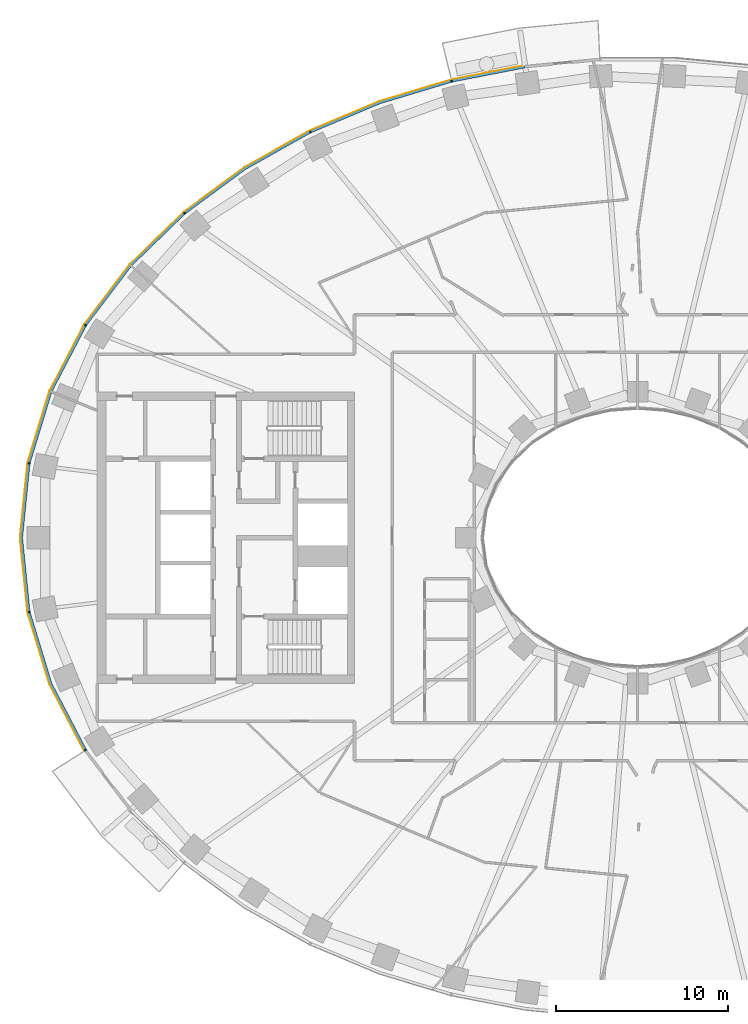
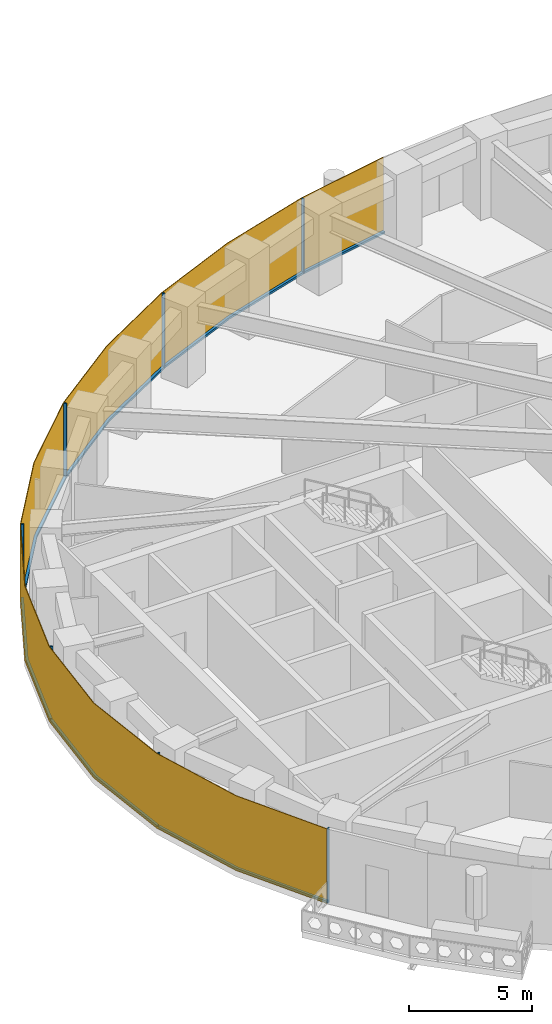
# One storey, part 11 of 16: 14 members, 1 curtain wall.
"""IFC4 building model written with IfcOpenShell, lengths in metres."""

import ifcopenshell
import ifcopenshell.guid

model = None  # the IFC model being written
_history = None  # IfcOwnerHistory: only IFC2X3 demands one
_inside = {}  # id of a spatial element -> (the spatial element, [elements in it])
_under = {}  # id of a project, library or spatial element -> (it, [spatial elements below it])
_declared = {}  # id of a project -> (the project, [libraries it declares])
_typed = {}  # id of a type object -> (the type object, [elements of that type])
_made_of = {}  # id of a material, layer set ... -> (it, [elements and type objects made of it])


def new_model(schema):
    """Start an empty IFC model of exactly this schema.

    Asked for "IFC4X3", IfcOpenShell would pick the latest addendum, in which some entities
    have other attributes; the version numbers below select the first issue.
    IFC2X3 requires an IfcOwnerHistory on every rooted entity: one is made here for all.
    """
    global model, _history
    if schema == "IFC4X3":
        model = ifcopenshell.file(schema_version=(4, 3, 0, 0))
    else:
        model = ifcopenshell.file(schema=schema)
    _inside.clear()
    _under.clear()
    _declared.clear()
    _typed.clear()
    _made_of.clear()
    _history = None
    if model.schema == "IFC2X3":
        org = make("IfcOrganization", Name="unknown")
        user = make(
            "IfcPersonAndOrganization",
            ThePerson=make("IfcPerson", FamilyName="unknown"),
            TheOrganization=org,
        )
        app = make(
            "IfcApplication",
            ApplicationDeveloper=org,
            Version="unknown",
            ApplicationFullName="unknown",
            ApplicationIdentifier="unknown",
        )
        _history = make(
            "IfcOwnerHistory",
            OwningUser=user,
            OwningApplication=app,
            ChangeAction="ADDED",
            CreationDate=0,
        )
    return model


def make(cls, **values):
    """One entity of the class cls with the attributes given. An attribute that is None is left unset."""
    return model.create_entity(
        cls, **{name: value for name, value in values.items() if value is not None}
    )


def rooted(cls, **values):
    """An entity with a GlobalId (a new one), such as an element, a storey or a relation."""
    return make(cls, GlobalId=ifcopenshell.guid.new(), OwnerHistory=_history, **values)


def si_unit(unit_type, name, prefix=None):
    """IfcSIUnit, for example si_unit("LENGTHUNIT", "METRE", prefix="MILLI")."""
    return make("IfcSIUnit", UnitType=unit_type, Prefix=prefix, Name=name)


def assignment(units):
    """IfcUnitAssignment: the units of a project."""
    return None if units is None else make("IfcUnitAssignment", Units=units)


def point(xyz):
    """IfcCartesianPoint."""
    return None if xyz is None else make("IfcCartesianPoint", Coordinates=xyz)


def direction(xyz):
    """IfcDirection."""
    return None if xyz is None else make("IfcDirection", DirectionRatios=xyz)


def frame(location, z_axis=None, x_axis=None):
    """IfcAxis2Placement3D, a coordinate frame: its origin and axes. An axis left out is left unset."""
    return make(
        "IfcAxis2Placement3D",
        Location=point(location),
        Axis=direction(z_axis),
        RefDirection=direction(x_axis),
    )


def frame_2d(location, x_axis=None):
    """IfcAxis2Placement2D, a coordinate frame in the plane: its origin and x axis."""
    return make(
        "IfcAxis2Placement2D", Location=point(location), RefDirection=direction(x_axis)
    )


def origin():
    """The frame at (0, 0, 0) with its axes left unset."""
    return frame((0.0, 0.0, 0.0))


def origin_2d():
    """The frame at (0, 0) in the plane with its x axis left unset."""
    return frame_2d((0.0, 0.0))


def place(relative_to, where):
    """IfcLocalPlacement: puts the frame where relative to a parent placement (None: the world)."""
    return make(
        "IfcLocalPlacement", PlacementRelTo=relative_to, RelativePlacement=where
    )


def context(
    kind, dimensions, precision=None, world=None, true_north=None, identifier=None
):
    """IfcGeometricRepresentationContext, for example the 3D "Model" context."""
    return make(
        "IfcGeometricRepresentationContext",
        ContextIdentifier=identifier,
        ContextType=kind,
        CoordinateSpaceDimension=dimensions,
        Precision=precision,
        WorldCoordinateSystem=world,
        TrueNorth=true_north,
    )


def subcontext(parent, identifier, kind, view, scale=None):
    """IfcGeometricRepresentationSubContext, for example "Body" below "Model"."""
    return make(
        "IfcGeometricRepresentationSubContext",
        ContextIdentifier=identifier,
        ContextType=kind,
        ParentContext=parent,
        TargetScale=scale,
        TargetView=view,
    )


def project(units=None, contexts=None):
    """IfcProject with its units and contexts."""
    return rooted(
        "IfcProject",
        Name="project",
        RepresentationContexts=contexts,
        UnitsInContext=assignment(units),
    )


def spatial(cls, under=None, at=None, **own):
    """A site, building, storey or space (cls), placed at a placement, below another one or the project."""
    s = rooted(cls, ObjectPlacement=at, **own)
    if under is not None:
        _under.setdefault(under.id(), (under, []))[1].append(s)
    return s


def polyline(points):
    """IfcPolyline through the points."""
    return make("IfcPolyline", Points=[point(p) for p in points])


def profile(cls, at=None, kind="AREA", **sizes):
    """A parametric profile (cls). Its sizes go by their IFC names, for example OverallWidth=200.0."""
    return make(cls, ProfileType=kind, Position=at, **sizes)


def rectangle(**sizes):
    """IfcRectangleProfileDef."""
    return profile("IfcRectangleProfileDef", **sizes)


def outline(outer, holes=None, kind="AREA"):
    """IfcArbitraryClosedProfileDef: a profile drawn as a closed curve; with holes, ...WithVoids."""
    if holes is None:
        return make("IfcArbitraryClosedProfileDef", ProfileType=kind, OuterCurve=outer)
    return make(
        "IfcArbitraryProfileDefWithVoids",
        ProfileType=kind,
        OuterCurve=outer,
        InnerCurves=holes,
    )


def extrude(swept, where, along, depth):
    """IfcExtrudedAreaSolid: the profile swept, set in the frame where, extruded along a direction by depth."""
    return make(
        "IfcExtrudedAreaSolid",
        SweptArea=swept,
        Position=where,
        ExtrudedDirection=direction(along),
        Depth=depth,
    )


def shape(context_of_items, identifier, shape_type, items):
    """IfcShapeRepresentation: the items that make up one representation, for example the "Body"."""
    return make(
        "IfcShapeRepresentation",
        ContextOfItems=context_of_items,
        RepresentationIdentifier=identifier,
        RepresentationType=shape_type,
        Items=items,
    )


def material(Name=None, Category=None):
    """IfcMaterial."""
    return make("IfcMaterial", Name=Name, Category=Category)


def layer(
    of_material, thickness, ventilated=None, Name=None, Category=None, Priority=None
):
    """IfcMaterialLayer: one layer of a wall or slab, of a material (None: an air gap)."""
    return make(
        "IfcMaterialLayer",
        Material=of_material,
        LayerThickness=thickness,
        IsVentilated=ventilated,
        Name=Name,
        Category=Category,
        Priority=Priority,
    )


def layer_set(layers, Name=None):
    """IfcMaterialLayerSet."""
    return make("IfcMaterialLayerSet", MaterialLayers=layers, LayerSetName=Name)


def material_profile(
    of_material, cross_section, Name=None, Category=None, Priority=None
):
    """IfcMaterialProfile: a cross section and its material."""
    return make(
        "IfcMaterialProfile",
        Name=Name,
        Material=of_material,
        Profile=cross_section,
        Priority=Priority,
        Category=Category,
    )


def profile_set(profiles, Name=None, composite=None):
    """IfcMaterialProfileSet."""
    return make(
        "IfcMaterialProfileSet",
        Name=Name,
        MaterialProfiles=profiles,
        CompositeProfile=composite,
    )


def made_of(thing, what):
    """Note that an element or type object is made of a material, layer set ...; save() writes the relation."""
    if what is not None:
        _made_of.setdefault(what.id(), (what, []))[1].append(thing)
    return thing


def type_object(cls, material=None, **own):
    """A type object (cls), such as IfcWallType, which elements share."""
    return made_of(rooted(cls, **own), material)


def element(
    cls,
    number,
    at=None,
    inside=None,
    cuts=None,
    type_object=None,
    material=None,
    context=None,
    identifier="Body",
    shape_type=None,
    held_by="IfcProductDefinitionShape",
    body=None,
    shapes=None,
    **own,
):
    """One element of the class cls, such as IfcWall. Its Tag is "e" and its number.

    at: its placement. inside: the storey or other place that contains it. cuts: it is an
    opening in that element (IfcRelVoidsElement). A single representation is given by context,
    identifier, shape_type and body (its items); several are given by shapes. held_by: the class
    of the entity that holds the representations. save() writes the other relations.
    """
    e = rooted(cls, Tag="e%d" % number, ObjectPlacement=at, **own)
    if body is not None:
        shapes = [shape(context, identifier, shape_type, body)]
    if shapes is not None:
        e.Representation = make(held_by, Representations=shapes)
    if inside is not None:
        _inside.setdefault(inside.id(), (inside, []))[1].append(e)
    if cuts is not None:
        rooted(
            "IfcRelVoidsElement", RelatingBuildingElement=cuts, RelatedOpeningElement=e
        )
    if type_object is not None:
        _typed.setdefault(type_object.id(), (type_object, []))[1].append(e)
    return made_of(e, material)


def aggregate(whole, parts):
    """IfcRelAggregates: a whole, such as a stair, and the parts it consists of."""
    return rooted("IfcRelAggregates", RelatingObject=whole, RelatedObjects=parts)


def save(model, path):
    """Write the relations noted so far, then the file.

    IfcRelAggregates (storeys below a building ...), IfcRelContainedInSpatialStructure (elements
    in a storey), IfcRelDefinesByType, IfcRelAssociatesMaterial and IfcRelDeclares: one each for
    every whole, place, type object, material and project.
    """
    for whole, parts in _under.values():
        aggregate(whole, parts)
    for where, things in _inside.values():
        rooted(
            "IfcRelContainedInSpatialStructure",
            RelatedElements=things,
            RelatingStructure=where,
        )
    for kind, things in _typed.values():
        rooted("IfcRelDefinesByType", RelatedObjects=things, RelatingType=kind)
    for what, things in _made_of.values():
        rooted("IfcRelAssociatesMaterial", RelatedObjects=things, RelatingMaterial=what)
    for by, libraries in _declared.values():
        rooted("IfcRelDeclares", RelatingContext=by, RelatedDefinitions=libraries)
    model.write(path)


model = new_model("IFC4")

# Units and contexts
model_context = context("Model", 3, precision=1e-05, world=origin(), true_north=direction((0.0, 1.0)))
body_context = subcontext(model_context, "Body", "Model", "MODEL_VIEW")
ifc_project = project(units=[si_unit("LENGTHUNIT", "METRE"), si_unit("AREAUNIT", "SQUARE_METRE"), si_unit("VOLUMEUNIT", "CUBIC_METRE"), si_unit("PLANEANGLEUNIT", "RADIAN"), si_unit("MASSUNIT", "GRAM", prefix="KILO")], contexts=[model_context])

# Member
ifc_material_1 = material(Name="Aluminium 6063-T6 black anodised", Category="aluminium")
ifc_material_profile = material_profile(ifc_material_1, rectangle(XDim=0.1201171875, YDim=0.06005859375, at=origin_2d()), Name="120x60")
ifc_profile_set = profile_set([ifc_material_profile], Name="Aluminium 6063-T6 black anodised")
member_type_1 = type_object("IfcMemberType", Name="ENV-MULLION-A-120", PredefinedType="MULLION", material=ifc_profile_set)
site_placement = place(None, origin())
building_placement = place(site_placement, origin())
storey_placement = place(building_placement, frame((0.0, 0.0, 96.0)))
member_1_placement = place(storey_placement, frame((-10.84326171875, 26.60498046875, 0.0), z_axis=(0.0, 0.0, 1.0), x_axis=(0.239799081534, -0.970822538106, 0.0)))
member_1 = element("IfcMember", 1, at=member_1_placement, type_object=member_type_1, Name="Mullion A radial 15", PredefinedType="MULLION", context=body_context, shape_type="SweptSolid", body=[
    extrude(rectangle(XDim=0.1201171875, YDim=0.06005859375, at=origin_2d()), origin(), (0.0, 0.0, 1.0), 3.699951171875),
])

member_2_placement = place(storey_placement, frame((-19.06787109375, 23.6474609375, 0.0), z_axis=(0.0, 0.0, 1.0), x_axis=(0.439237769837, -0.898370848563, 0.0)))
member_2 = element("IfcMember", 2, at=member_2_placement, type_object=member_type_1, Name="Mullion A radial 17", PredefinedType="MULLION", context=body_context, shape_type="SweptSolid", body=[
    extrude(rectangle(XDim=0.1201171875, YDim=0.06005859375, at=origin_2d()), origin(), (0.0, 0.0, 1.0), 3.699951171875),
])

member_3_placement = place(storey_placement, frame((-26.403564453125, 18.9130859375, 0.0), z_axis=(0.0, 0.0, 1.0), x_axis=(0.646451313783, -0.762955240435, 0.0)))
member_3 = element("IfcMember", 3, at=member_3_placement, type_object=member_type_1, Name="Mullion A radial 19", PredefinedType="MULLION", context=body_context, shape_type="SweptSolid", body=[
    extrude(rectangle(XDim=0.1201171875, YDim=0.06005859375, at=origin_2d()), origin(), (0.0, 0.0, 1.0), 3.699951171875),
])

member_4_placement = place(storey_placement, frame((-32.177490234375, 12.385498046875, 0.0), z_axis=(0.0, 0.0, 1.0), x_axis=(0.844829880882, -0.53503501976, 0.0)))
member_4 = element("IfcMember", 4, at=member_4_placement, type_object=member_type_1, Name="Mullion A radial 21", PredefinedType="MULLION", context=body_context, shape_type="SweptSolid", body=[
    extrude(rectangle(XDim=0.1201171875, YDim=0.06005859375, at=origin_2d()), origin(), (0.0, 0.0, 1.0), 3.699951171875),
])

member_5_placement = place(storey_placement, frame((-35.470947265625, 4.340576171875, 0.0), z_axis=(0.0, 0.0, 1.0), x_axis=(0.980379083141, -0.19712141776, 0.0)))
member_5 = element("IfcMember", 5, at=member_5_placement, type_object=member_type_1, Name="Mullion A radial 23", PredefinedType="MULLION", context=body_context, shape_type="SweptSolid", body=[
    extrude(rectangle(XDim=0.1201171875, YDim=0.06005859375, at=origin_2d()), origin(), (0.0, 0.0, 1.0), 3.699951171875),
])

member_6_placement = place(storey_placement, frame((-35.470947265625, -4.340576171875, 0.0), z_axis=(0.0, 0.0, 1.0), x_axis=(0.980379083141, 0.19712141776, 0.0)))
member_6 = element("IfcMember", 6, at=member_6_placement, type_object=member_type_1, Name="Mullion A radial 25", PredefinedType="MULLION", context=body_context, shape_type="SweptSolid", body=[
    extrude(rectangle(XDim=0.1201171875, YDim=0.06005859375, at=origin_2d()), origin(), (0.0, 0.0, 1.0), 3.699951171875),
])

member_7_placement = place(storey_placement, frame((-32.177490234375, -12.385498046875, 0.0), z_axis=(0.0, 0.0, 1.0), x_axis=(0.844829880882, 0.53503501976, 0.0)))
member_7 = element("IfcMember", 7, at=member_7_placement, type_object=member_type_1, Name="Mullion A radial 27", PredefinedType="MULLION", context=body_context, shape_type="SweptSolid", body=[
    extrude(rectangle(XDim=0.1201171875, YDim=0.06005859375, at=origin_2d()), origin(), (0.0, 0.0, 1.0), 3.699951171875),
])

ifc_material_2 = material(Name="Aluminium 6063-T6 black anodised", Category="aluminium")
member_type_2 = type_object("IfcMemberType", Name="ENV-TRANSOM-A", PredefinedType="USERDEFINED", material=ifc_material_2)
member_8_placement = place(storey_placement, origin())
member_8 = element("IfcMember", 8, at=member_8_placement, type_object=member_type_2, Name="Transom A radial 14-15", ObjectType="TRANSOM", PredefinedType="USERDEFINED", context=body_context, shape_type="SweptSolid", body=[
    extrude(outline(polyline([(-6.57470703125, 27.49560546875), (-10.830078125, 26.66845703125), (-10.80126953125, 26.552001953125), (-6.5576171875, 27.376708984375), (-6.57470703125, 27.49560546875)])), origin(), (0.0, 0.0, 1.0), 0.10009765625),
])

member_9_placement = place(storey_placement, origin())
member_9 = element("IfcMember", 9, at=member_9_placement, type_object=member_type_2, Name="Transom A radial 15-17", ObjectType="TRANSOM", PredefinedType="USERDEFINED", context=body_context, shape_type="SweptSolid", body=[
    extrude(outline(polyline([(-10.884521484375, 26.655029296875), (-15.054443359375, 25.400146484375), (-19.068359375, 23.71240234375), (-19.015380859375, 23.604248046875), (-15.013916015625, 25.287109375), (-10.855712890625, 26.53857421875), (-10.884521484375, 26.655029296875)])), origin(), (0.0, 0.0, 1.0), 0.10009765625),
])

member_10_placement = place(storey_placement, origin())
member_10 = element("IfcMember", 10, at=member_10_placement, type_object=member_type_2, Name="Transom A radial 17-19", ObjectType="TRANSOM", PredefinedType="USERDEFINED", context=body_context, shape_type="SweptSolid", body=[
    extrude(outline(polyline([(-19.11865234375, 23.687744140625), (-22.9150390625, 21.556884765625), (-26.419921875, 18.975341796875), (-26.342041015625, 18.883544921875), (-22.85009765625, 21.455810546875), (-19.06591796875, 23.57958984375), (-19.11865234375, 23.687744140625)])), origin(), (0.0, 0.0, 1.0), 0.10009765625),
])

member_11_placement = place(storey_placement, origin())
member_11 = element("IfcMember", 11, at=member_11_placement, type_object=member_type_2, Name="Transom A radial 19-21", ObjectType="TRANSOM", PredefinedType="USERDEFINED", context=body_context, shape_type="SweptSolid", body=[
    extrude(outline(polyline([(-26.46240234375, 18.939208984375), (-29.58349609375, 15.906982421875), (-32.211181640625, 12.43994140625), (-32.109375, 12.37548828125), (-29.493408203125, 15.8271484375), (-26.384765625, 18.847412109375), (-26.46240234375, 18.939208984375)])), origin(), (0.0, 0.0, 1.0), 0.10009765625),
])

member_12_placement = place(storey_placement, origin())
member_12 = element("IfcMember", 12, at=member_12_placement, type_object=member_type_2, Name="Transom A radial 21-23", ObjectType="TRANSOM", PredefinedType="USERDEFINED", context=body_context, shape_type="SweptSolid", body=[
    extrude(outline(polyline([(-32.240966796875, 12.392578125), (-34.251220703125, 8.53662109375), (-35.521484375, 4.379150390625), (-35.4033203125, 4.355224609375), (-34.139892578125, 8.490966796875), (-32.139404296875, 12.328369140625), (-32.240966796875, 12.392578125)])), origin(), (0.0, 0.0, 1.0), 0.10009765625),
])

member_13_placement = place(storey_placement, origin())
member_13 = element("IfcMember", 13, at=member_13_placement, type_object=member_type_2, Name="Transom A radial 23-25", ObjectType="TRANSOM", PredefinedType="USERDEFINED", context=body_context, shape_type="SweptSolid", body=[
    extrude(outline(polyline([(-35.532470703125, 4.324462890625), (-35.9677734375, 0.0), (-35.532470703125, -4.324462890625), (-35.414306640625, -4.30078125), (-35.84716796875, 0.0), (-35.414306640625, 4.30078125), (-35.532470703125, 4.324462890625)])), origin(), (0.0, 0.0, 1.0), 0.10009765625),
])

member_14_placement = place(storey_placement, origin())
member_14 = element("IfcMember", 14, at=member_14_placement, type_object=member_type_2, Name="Transom A radial 25-27", ObjectType="TRANSOM", PredefinedType="USERDEFINED", context=body_context, shape_type="SweptSolid", body=[
    extrude(outline(polyline([(-35.521484375, -4.379150390625), (-34.251220703125, -8.53662109375), (-32.240966796875, -12.392578125), (-32.139404296875, -12.328369140625), (-34.139892578125, -8.490966796875), (-35.4033203125, -4.355224609375), (-35.521484375, -4.379150390625)])), origin(), (0.0, 0.0, 1.0), 0.10009765625),
])

# Site, building, storey
site = spatial("IfcSite", under=ifc_project, at=site_placement, CompositionType="ELEMENT")
building = spatial("IfcBuilding", under=site, at=building_placement, Name="Noorbagh Ring Tower", CompositionType="ELEMENT")
storey = spatial("IfcBuildingStorey", under=building, at=storey_placement, Name="L21", CompositionType="ELEMENT", Elevation=96.0)

# Curtain wall
ifc_material_3 = material(Name="Glass dark tinted laminated", Category="glass")
ifc_layer = layer(ifc_material_3, 0.031982421875)
ifc_layer_set = layer_set([ifc_layer], Name="Glass dark tinted laminated")
curtain_wall_type = type_object("IfcCurtainWallType", Name="ENV-CW-A", PredefinedType="NOTDEFINED", material=ifc_layer_set)
curtain_wall_placement = place(storey_placement, origin())
curtain_wall = element("IfcCurtainWall", 15, at=curtain_wall_placement, inside=storey, type_object=curtain_wall_type, Name="Curtain wall A R14", PredefinedType="NOTDEFINED", context=body_context, shape_type="SweptSolid", body=[
    extrude(outline(polyline([(-6.579345703125, 27.52734375), (-10.865234375, 26.6943359375), (-15.065185546875, 25.430419921875), (-19.108154296875, 23.730224609375), (-22.9326171875, 21.583740234375), (-26.463134765625, 18.9833984375), (-29.607666015625, 15.927978515625), (-32.255126953125, 12.434814453125), (-34.281005859375, 8.548828125), (-35.561279296875, 4.358642578125), (-36.0, 0.0), (-35.561279296875, -4.358642578125), (-34.281005859375, -8.548828125), (-32.264404296875, -12.4169921875), (-32.2373046875, -12.39990234375), (-34.251220703125, -8.53662109375), (-35.529541015625, -4.352294921875), (-35.9677734375, 0.0), (-35.529541015625, 4.352294921875), (-34.251220703125, 8.53662109375), (-32.22802734375, 12.41748046875), (-29.58349609375, 15.906982421875), (-26.4423828125, 18.958740234375), (-22.9150390625, 21.556884765625), (-19.093994140625, 23.701416015625), (-15.054443359375, 25.400146484375), (-10.857666015625, 26.6630859375), (-6.57470703125, 27.49560546875), (-6.579345703125, 27.52734375)])), origin(), (0.0, 0.0, 1.0), 3.699951171875),
])

aggregate(curtain_wall, [member_1, member_2, member_3, member_4, member_5, member_6, member_7, member_8, member_9, member_10, member_11, member_12, member_13, member_14])

save(model, "model.ifc")
